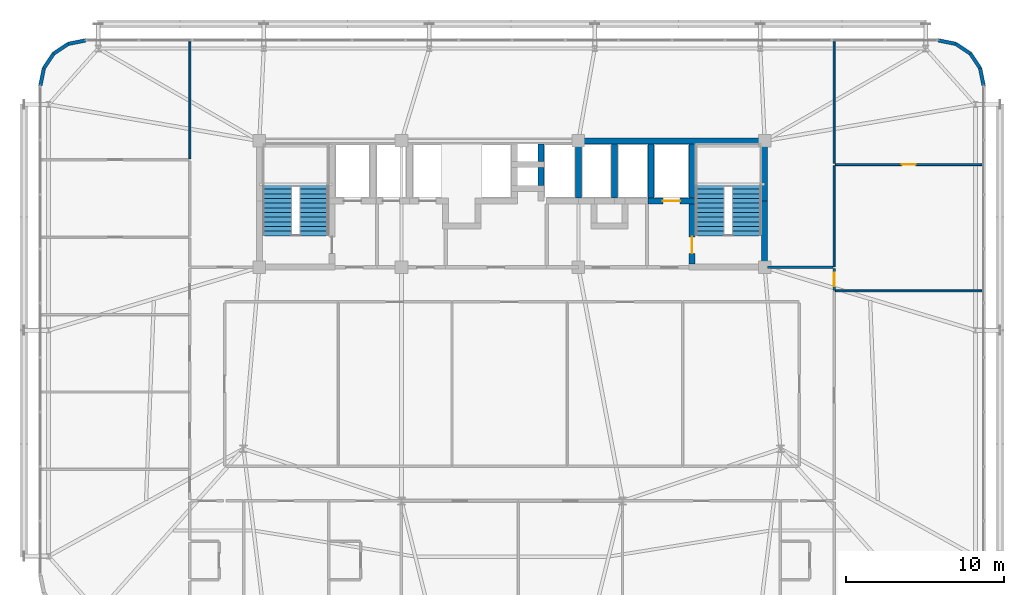
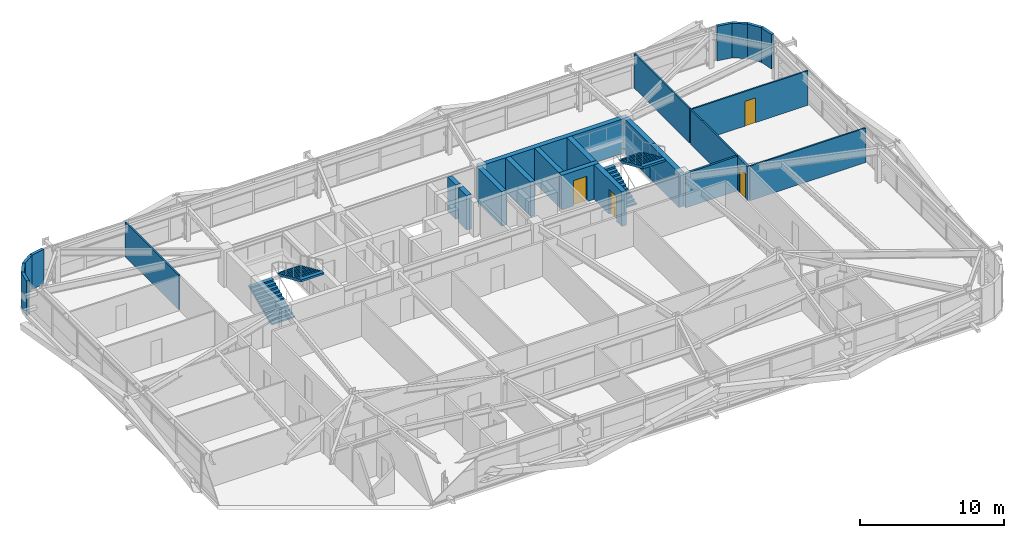
# One storey, part 55 of 58: 26 walls, 4 doors, 4 stair flights, 4 openings, 2 elements without a shape of their own.
"""IFC4 building model written with IfcOpenShell, lengths in metres."""

import ifcopenshell
import ifcopenshell.guid

model = None  # the IFC model being written
_history = None  # IfcOwnerHistory: only IFC2X3 demands one
_inside = {}  # id of a spatial element -> (the spatial element, [elements in it])
_under = {}  # id of a project, library or spatial element -> (it, [spatial elements below it])
_declared = {}  # id of a project -> (the project, [libraries it declares])
_typed = {}  # id of a type object -> (the type object, [elements of that type])
_made_of = {}  # id of a material, layer set ... -> (it, [elements and type objects made of it])


def new_model(schema):
    """Start an empty IFC model of exactly this schema.

    Asked for "IFC4X3", IfcOpenShell would pick the latest addendum, in which some entities
    have other attributes; the version numbers below select the first issue.
    IFC2X3 requires an IfcOwnerHistory on every rooted entity: one is made here for all.
    """
    global model, _history
    if schema == "IFC4X3":
        model = ifcopenshell.file(schema_version=(4, 3, 0, 0))
    else:
        model = ifcopenshell.file(schema=schema)
    _inside.clear()
    _under.clear()
    _declared.clear()
    _typed.clear()
    _made_of.clear()
    _history = None
    if model.schema == "IFC2X3":
        org = make("IfcOrganization", Name="unknown")
        user = make(
            "IfcPersonAndOrganization",
            ThePerson=make("IfcPerson", FamilyName="unknown"),
            TheOrganization=org,
        )
        app = make(
            "IfcApplication",
            ApplicationDeveloper=org,
            Version="unknown",
            ApplicationFullName="unknown",
            ApplicationIdentifier="unknown",
        )
        _history = make(
            "IfcOwnerHistory",
            OwningUser=user,
            OwningApplication=app,
            ChangeAction="ADDED",
            CreationDate=0,
        )
    return model


def make(cls, **values):
    """One entity of the class cls with the attributes given. An attribute that is None is left unset."""
    return model.create_entity(
        cls, **{name: value for name, value in values.items() if value is not None}
    )


def rooted(cls, **values):
    """An entity with a GlobalId (a new one), such as an element, a storey or a relation."""
    return make(cls, GlobalId=ifcopenshell.guid.new(), OwnerHistory=_history, **values)


def si_unit(unit_type, name, prefix=None):
    """IfcSIUnit, for example si_unit("LENGTHUNIT", "METRE", prefix="MILLI")."""
    return make("IfcSIUnit", UnitType=unit_type, Prefix=prefix, Name=name)


def assignment(units):
    """IfcUnitAssignment: the units of a project."""
    return None if units is None else make("IfcUnitAssignment", Units=units)


def point(xyz):
    """IfcCartesianPoint."""
    return None if xyz is None else make("IfcCartesianPoint", Coordinates=xyz)


def direction(xyz):
    """IfcDirection."""
    return None if xyz is None else make("IfcDirection", DirectionRatios=xyz)


def frame(location, z_axis=None, x_axis=None):
    """IfcAxis2Placement3D, a coordinate frame: its origin and axes. An axis left out is left unset."""
    return make(
        "IfcAxis2Placement3D",
        Location=point(location),
        Axis=direction(z_axis),
        RefDirection=direction(x_axis),
    )


def frame_2d(location, x_axis=None):
    """IfcAxis2Placement2D, a coordinate frame in the plane: its origin and x axis."""
    return make(
        "IfcAxis2Placement2D", Location=point(location), RefDirection=direction(x_axis)
    )


def origin():
    """The frame at (0, 0, 0) with its axes left unset."""
    return frame((0.0, 0.0, 0.0))


def place(relative_to, where):
    """IfcLocalPlacement: puts the frame where relative to a parent placement (None: the world)."""
    return make(
        "IfcLocalPlacement", PlacementRelTo=relative_to, RelativePlacement=where
    )


def context(
    kind, dimensions, precision=None, world=None, true_north=None, identifier=None
):
    """IfcGeometricRepresentationContext, for example the 3D "Model" context."""
    return make(
        "IfcGeometricRepresentationContext",
        ContextIdentifier=identifier,
        ContextType=kind,
        CoordinateSpaceDimension=dimensions,
        Precision=precision,
        WorldCoordinateSystem=world,
        TrueNorth=true_north,
    )


def subcontext(parent, identifier, kind, view, scale=None):
    """IfcGeometricRepresentationSubContext, for example "Body" below "Model"."""
    return make(
        "IfcGeometricRepresentationSubContext",
        ContextIdentifier=identifier,
        ContextType=kind,
        ParentContext=parent,
        TargetScale=scale,
        TargetView=view,
    )


def project(units=None, contexts=None):
    """IfcProject with its units and contexts."""
    return rooted(
        "IfcProject",
        Name="project",
        RepresentationContexts=contexts,
        UnitsInContext=assignment(units),
    )


def spatial(cls, under=None, at=None, **own):
    """A site, building, storey or space (cls), placed at a placement, below another one or the project."""
    s = rooted(cls, ObjectPlacement=at, **own)
    if under is not None:
        _under.setdefault(under.id(), (under, []))[1].append(s)
    return s


def polyline(points):
    """IfcPolyline through the points."""
    return make("IfcPolyline", Points=[point(p) for p in points])


def profile(cls, at=None, kind="AREA", **sizes):
    """A parametric profile (cls). Its sizes go by their IFC names, for example OverallWidth=200.0."""
    return make(cls, ProfileType=kind, Position=at, **sizes)


def rectangle(**sizes):
    """IfcRectangleProfileDef."""
    return profile("IfcRectangleProfileDef", **sizes)


def outline(outer, holes=None, kind="AREA"):
    """IfcArbitraryClosedProfileDef: a profile drawn as a closed curve; with holes, ...WithVoids."""
    if holes is None:
        return make("IfcArbitraryClosedProfileDef", ProfileType=kind, OuterCurve=outer)
    return make(
        "IfcArbitraryProfileDefWithVoids",
        ProfileType=kind,
        OuterCurve=outer,
        InnerCurves=holes,
    )


def extrude(swept, where, along, depth):
    """IfcExtrudedAreaSolid: the profile swept, set in the frame where, extruded along a direction by depth."""
    return make(
        "IfcExtrudedAreaSolid",
        SweptArea=swept,
        Position=where,
        ExtrudedDirection=direction(along),
        Depth=depth,
    )


def shape(context_of_items, identifier, shape_type, items):
    """IfcShapeRepresentation: the items that make up one representation, for example the "Body"."""
    return make(
        "IfcShapeRepresentation",
        ContextOfItems=context_of_items,
        RepresentationIdentifier=identifier,
        RepresentationType=shape_type,
        Items=items,
    )


def source(mapping_origin, context_of_items, identifier, shape_type, items):
    """IfcRepresentationMap: a shape defined once, which mapped items show again and again."""
    return make(
        "IfcRepresentationMap",
        MappingOrigin=mapping_origin,
        MappedRepresentation=shape(context_of_items, identifier, shape_type, items),
    )


def transform(
    local_origin,
    x_axis=None,
    y_axis=None,
    z_axis=None,
    scale=None,
    scale2=None,
    scale3=None,
    uniform=True,
):
    """IfcCartesianTransformationOperator3D, or its non-uniform kind. x_axis, y_axis, z_axis: its Axis1, 2, 3."""
    if uniform:
        return make(
            "IfcCartesianTransformationOperator3D",
            Axis1=direction(x_axis),
            Axis2=direction(y_axis),
            LocalOrigin=point(local_origin),
            Scale=scale,
            Axis3=direction(z_axis),
        )
    return make(
        "IfcCartesianTransformationOperator3DnonUniform",
        Axis1=direction(x_axis),
        Axis2=direction(y_axis),
        LocalOrigin=point(local_origin),
        Scale=scale,
        Axis3=direction(z_axis),
        Scale2=scale2,
        Scale3=scale3,
    )


def mapped(mapping_source, mapping_target):
    """IfcMappedItem: shows the shape of a source again, moved by a transform."""
    return make(
        "IfcMappedItem", MappingSource=mapping_source, MappingTarget=mapping_target
    )


def material(Name=None, Category=None):
    """IfcMaterial."""
    return make("IfcMaterial", Name=Name, Category=Category)


def layer(
    of_material, thickness, ventilated=None, Name=None, Category=None, Priority=None
):
    """IfcMaterialLayer: one layer of a wall or slab, of a material (None: an air gap)."""
    return make(
        "IfcMaterialLayer",
        Material=of_material,
        LayerThickness=thickness,
        IsVentilated=ventilated,
        Name=Name,
        Category=Category,
        Priority=Priority,
    )


def layer_set(layers, Name=None):
    """IfcMaterialLayerSet."""
    return make("IfcMaterialLayerSet", MaterialLayers=layers, LayerSetName=Name)


def made_of(thing, what):
    """Note that an element or type object is made of a material, layer set ...; save() writes the relation."""
    if what is not None:
        _made_of.setdefault(what.id(), (what, []))[1].append(thing)
    return thing


def type_object(cls, material=None, **own):
    """A type object (cls), such as IfcWallType, which elements share."""
    return made_of(rooted(cls, **own), material)


def element(
    cls,
    number,
    at=None,
    inside=None,
    cuts=None,
    type_object=None,
    material=None,
    context=None,
    identifier="Body",
    shape_type=None,
    held_by="IfcProductDefinitionShape",
    body=None,
    shapes=None,
    **own,
):
    """One element of the class cls, such as IfcWall. Its Tag is "e" and its number.

    at: its placement. inside: the storey or other place that contains it. cuts: it is an
    opening in that element (IfcRelVoidsElement). A single representation is given by context,
    identifier, shape_type and body (its items); several are given by shapes. held_by: the class
    of the entity that holds the representations. save() writes the other relations.
    """
    e = rooted(cls, Tag="e%d" % number, ObjectPlacement=at, **own)
    if body is not None:
        shapes = [shape(context, identifier, shape_type, body)]
    if shapes is not None:
        e.Representation = make(held_by, Representations=shapes)
    if inside is not None:
        _inside.setdefault(inside.id(), (inside, []))[1].append(e)
    if cuts is not None:
        rooted(
            "IfcRelVoidsElement", RelatingBuildingElement=cuts, RelatedOpeningElement=e
        )
    if type_object is not None:
        _typed.setdefault(type_object.id(), (type_object, []))[1].append(e)
    return made_of(e, material)


def fill(opening, filler):
    """IfcRelFillsElement: the door or window that sits in an opening."""
    return rooted(
        "IfcRelFillsElement",
        RelatingOpeningElement=opening,
        RelatedBuildingElement=filler,
    )


def aggregate(whole, parts):
    """IfcRelAggregates: a whole, such as a stair, and the parts it consists of."""
    return rooted("IfcRelAggregates", RelatingObject=whole, RelatedObjects=parts)


def save(model, path):
    """Write the relations noted so far, then the file.

    IfcRelAggregates (storeys below a building ...), IfcRelContainedInSpatialStructure (elements
    in a storey), IfcRelDefinesByType, IfcRelAssociatesMaterial and IfcRelDeclares: one each for
    every whole, place, type object, material and project.
    """
    for whole, parts in _under.values():
        aggregate(whole, parts)
    for where, things in _inside.values():
        rooted(
            "IfcRelContainedInSpatialStructure",
            RelatedElements=things,
            RelatingStructure=where,
        )
    for kind, things in _typed.values():
        rooted("IfcRelDefinesByType", RelatedObjects=things, RelatingType=kind)
    for what, things in _made_of.values():
        rooted("IfcRelAssociatesMaterial", RelatedObjects=things, RelatingMaterial=what)
    for by, libraries in _declared.values():
        rooted("IfcRelDeclares", RelatingContext=by, RelatedDefinitions=libraries)
    model.write(path)


model = new_model("IFC4")

# Units and contexts
model_context = context("Model", 3, precision=1e-05, world=origin(), true_north=direction((0.0, 1.0)))
body_context = subcontext(model_context, "Body", "Model", "MODEL_VIEW")
ifc_project = project(units=[si_unit("LENGTHUNIT", "METRE"), si_unit("AREAUNIT", "SQUARE_METRE"), si_unit("VOLUMEUNIT", "CUBIC_METRE"), si_unit("PLANEANGLEUNIT", "RADIAN"), si_unit("MASSUNIT", "GRAM", prefix="KILO")], contexts=[model_context])

# Site, building, storey
site_placement = place(None, origin())
site = spatial("IfcSite", under=ifc_project, at=site_placement, CompositionType="ELEMENT")
building_placement = place(site_placement, origin())
building = spatial("IfcBuilding", under=site, at=building_placement, Name="Taldren Reach Tower", CompositionType="ELEMENT")
storey_placement = place(building_placement, frame((0.0, 0.0, 35.699951171875)))
storey = spatial("IfcBuildingStorey", under=building, at=storey_placement, Name="L10", CompositionType="ELEMENT", Elevation=35.699951171875)

# Walls
ifc_material_1 = material(Name="Pale Champagne Anodised Aluminium Cladding", Category="aluminium")
ifc_layer_1 = layer(ifc_material_1, 0.04, Name="Pale Champagne Anodised Aluminium Cladding", Category="aluminium")
ifc_material_2 = material(Name="Mineral Wool Acoustic Insulation", Category="insulation")
ifc_layer_2 = layer(ifc_material_2, 0.06, Name="Mineral Wool Acoustic Insulation", Category="insulation")
ifc_material_3 = material(Name="Steel Gr 350 (C350L0)", Category="steel")
ifc_layer_3 = layer(ifc_material_3, 0.12, Name="Steel Gr 350 (C350L0)", Category="steel")
ifc_layer_set_1 = layer_set([ifc_layer_1, ifc_layer_2, ifc_layer_3], Name="Pale Champagne Aluminium Cladding and Steel Gr 350 Stud Framing")
wall_type_1 = type_object("IfcWallType", Name="EW-CRN-220", PredefinedType="SOLIDWALL", material=ifc_layer_set_1)
shared_shape_1 = source(origin(), body_context, "Body", "SweptSolid", [
    extrude(rectangle(XDim=1.115966796875, YDim=0.219970703125, at=frame_2d((0.55810546875, 0.0))), origin(), (0.0, 0.0, 1.0), 2.929931640625),
])
for number, where, z_axis, x_axis, name in (
    (1, (64.860107421875, 35.5, 0.0), (0.0, 0.0, 1.0), (-0.195148375659, 0.98077373103, 0.0), "Rounded-corner pale-metal facade wall L10-NE1"),
    (2, (64.642333984375, 36.594482421875, 0.0), (0.0, 0.0, 1.0), (-0.555709556774, 0.83137650226, 0.0), "Rounded-corner pale-metal facade wall L10-NE2"),
    (3, (64.022216796875, 37.522216796875, 0.0), (0.0, 0.0, 1.0), (-0.83137650226, 0.555709556774, 0.0), "Rounded-corner pale-metal facade wall L10-NE3"),
    (4, (63.094482421875, 38.142333984375, 0.0), (0.0, 0.0, 1.0), (-0.98077373103, 0.195148375659, 0.0), "Rounded-corner pale-metal facade wall L10-NE4"),
    (5, (8.0, 38.360107421875, 0.0), (0.0, 0.0, 1.0), (-0.98077373103, -0.195148375659, 0.0), "Rounded-corner pale-metal facade wall L10-NW1"),
    (6, (6.905517578125, 38.142333984375, 0.0), (0.0, 0.0, 1.0), (-0.83137650226, -0.555709556774, 0.0), "Rounded-corner pale-metal facade wall L10-NW2"),
    (7, (5.977783203125, 37.522216796875, 0.0), (0.0, 0.0, 1.0), (-0.555709556774, -0.83137650226, 0.0), "Rounded-corner pale-metal facade wall L10-NW3"),
    (8, (5.357666015625, 36.594482421875, 0.0), (0.0, 0.0, 1.0), (-0.195148375659, -0.98077373103, 0.0), "Rounded-corner pale-metal facade wall L10-NW4"),
):
    element("IfcWall", number, at=place(storey_placement, frame(where, z_axis=z_axis, x_axis=x_axis)), inside=storey, type_object=wall_type_1, Name=name, PredefinedType="SOLIDWALL", context=body_context, shape_type="MappedRepresentation", body=[
        mapped(shared_shape_1, transform((0.0, 0.0, 0.0), scale=1.0)),
    ])
ifc_material_4 = material(Name="Concrete S80 (80 MPa)", Category="concrete")
ifc_layer_4 = layer(ifc_material_4, 0.3798828125)
ifc_layer_set_2 = layer_set([ifc_layer_4], Name="Concrete S80 (80 MPa)")
wall_type_2 = type_object("IfcWallType", Name="IW-CORE-380", PredefinedType="SHEAR", material=ifc_layer_set_2)
shared_shape_2 = source(origin(), body_context, "Body", "SweptSolid", [
    extrude(rectangle(XDim=11.989990234375, YDim=0.3798828125, at=frame_2d((5.9951171875, 0.0))), origin(), (0.0, 0.0, 1.0), 2.929931640625),
])
wall_1_placement = place(storey_placement, frame((39.199951171875, 32.0, 0.0), z_axis=(0.0, 0.0, 1.0), x_axis=(1.0, 0.0, 0.0)))
element("IfcWall", 9, at=wall_1_placement, inside=storey, type_object=wall_type_2, Name="Rear Core Shear Wall W-CORE-L10-NORTH3", PredefinedType="SHEAR", context=body_context, shape_type="MappedRepresentation", body=[
    mapped(shared_shape_2, transform((0.0, 0.0, 0.0), scale=1.0)),
])
shared_shape_3 = source(origin(), body_context, "Body", "SweptSolid", [
    extrude(rectangle(XDim=4.010009765625, YDim=0.3798828125, at=frame_2d((2.0048828125, 0.0))), origin(), (0.0, 0.0, 1.0), 2.929931640625),
])
wall_2_placement = place(storey_placement, frame((51.0, 24.18994140625, 0.0), z_axis=(0.0, 0.0, 1.0), x_axis=(0.0, 1.0, 0.0)))
element("IfcWall", 10, at=wall_2_placement, inside=storey, type_object=wall_type_2, Name="Rear Core Shear Wall W-CORE-L10-EAST1", PredefinedType="SHEAR", context=body_context, shape_type="MappedRepresentation", body=[
    mapped(shared_shape_3, transform((0.0, 0.0, 0.0), scale=1.0)),
])
shared_shape_4 = source(origin(), body_context, "Body", "SweptSolid", [
    extrude(rectangle(XDim=3.610107421875, YDim=0.3798828125, at=frame_2d((1.80517578125, 0.0))), origin(), (0.0, 0.0, 1.0), 2.929931640625),
])
wall_3_placement = place(storey_placement, frame((51.0, 28.199951171875, 0.0), z_axis=(0.0, 0.0, 1.0), x_axis=(0.0, 1.0, 0.0)))
element("IfcWall", 11, at=wall_3_placement, inside=storey, type_object=wall_type_2, Name="Rear Core Shear Wall W-CORE-L10-EAST2", PredefinedType="SHEAR", context=body_context, shape_type="MappedRepresentation", body=[
    mapped(shared_shape_4, transform((0.0, 0.0, 0.0), scale=1.0)),
])
shared_shape_5 = source(origin(), body_context, "Body", "SweptSolid", [
    extrude(rectangle(XDim=3.420166015625, YDim=0.3798828125, at=frame_2d((1.7099609375, 0.0))), origin(), (0.0, 0.0, 1.0), 2.929931640625),
])
for number, where, z_axis, x_axis, name in (
    (12, (46.39990234375, 31.81005859375, 0.0), (0.0, 0.0, 1.0), (0.0, -1.0, 0.0), "Rear Core Shear Wall W-INT-L10-008"),
    (13, (43.800048828125, 31.81005859375, 0.0), (0.0, 0.0, 1.0), (0.0, -1.0, 0.0), "Rear Core Shear Wall W-INT-L10-012"),
    (14, (39.199951171875, 28.389892578125, 0.0), (0.0, 0.0, 1.0), (0.0, 1.0, 0.0), "Rear Core Shear Wall W-INT-L10-036"),
    (15, (41.5, 28.389892578125, 0.0), (0.0, 0.0, 1.0), (0.0, 1.0, 0.0), "Rear Core Shear Wall W-INT-L10-039"),
):
    element("IfcWall", number, at=place(storey_placement, frame(where, z_axis=z_axis, x_axis=x_axis)), inside=storey, type_object=wall_type_2, Name=name, PredefinedType="SHEAR", context=body_context, shape_type="MappedRepresentation", body=[
        mapped(shared_shape_5, transform((0.0, 0.0, 0.0), scale=1.0)),
    ])

# Wall, opening, door
shared_shape_6 = source(origin(), body_context, "Body", "SweptSolid", [
    extrude(rectangle(XDim=3.820068359375, YDim=0.3798828125, at=frame_2d((1.91015625, 0.0))), origin(), (0.0, 0.0, 1.0), 2.929931640625),
])
wall_4_placement = place(storey_placement, frame((46.39990234375, 28.010009765625, 0.0), z_axis=(0.0, 0.0, 1.0), x_axis=(0.0, -1.0, 0.0)))
wall_4 = element("IfcWall", 16, at=wall_4_placement, inside=storey, type_object=wall_type_2, Name="Rear Core Shear Wall W-INT-L10-009", PredefinedType="SHEAR", context=body_context, shape_type="MappedRepresentation", body=[
    mapped(shared_shape_6, transform((0.0, 0.0, 0.0), scale=1.0)),
])
shared_shape_7 = source(origin(), body_context, "Body", "SweptSolid", [
    extrude(rectangle(XDim=1.050048828125, YDim=2.10009765625, at=frame_2d((0.52490234375, 1.050048828125))), frame((0.0, 0.199951171875, 0.0), z_axis=(0.0, -1.0, 0.0), x_axis=(1.0, 0.0, 0.0)), (0.0, 0.0, 1.0), 0.39990234375),
])
opening_1_placement = place(wall_4_placement, frame((2.0849609375, 0.0, 0.0)))
opening_1 = element("IfcOpeningElement", 17, at=opening_1_placement, cuts=wall_4, Name="Opening DF-105", PredefinedType="OPENING", context=body_context, shape_type="MappedRepresentation", body=[
    mapped(shared_shape_7, transform((0.0, 0.0, 0.0), scale=1.0)),
])
ifc_material_5 = material(Name="Fire-Rated Care and Stair Exit Door")
door_type_1 = type_object("IfcDoorType", Name="ID-FIRE-105", OperationType="NOTDEFINED", PredefinedType="DOOR", material=ifc_material_5)
shared_shape_8 = source(origin(), body_context, "Body", "SweptSolid", [
    extrude(rectangle(XDim=1.050048828125, YDim=2.10009765625, at=frame_2d((0.52490234375, 1.050048828125))), frame((0.0, 0.02490234375, 0.0), z_axis=(0.0, -1.0, 0.0), x_axis=(1.0, 0.0, 0.0)), (0.0, 0.0, 1.0), 0.050048828125),
])
door_1_placement = place(opening_1_placement, origin())
door_1 = element("IfcDoor", 18, at=door_1_placement, inside=storey, type_object=door_type_1, Name="Fire Exit Stair Door DR-L10-003", OperationType="SINGLE_SWING_RIGHT", OverallHeight=2.10009765625, OverallWidth=1.050048828125, PredefinedType="DOOR", context=body_context, shape_type="MappedRepresentation", body=[
    mapped(shared_shape_8, transform((0.0, 0.0, 0.0), scale=1.0)),
])
fill(opening_1, door_1)

shared_shape_9 = source(origin(), body_context, "Body", "SweptSolid", [
    extrude(rectangle(XDim=2.97998046875, YDim=0.3798828125, at=frame_2d((1.489990234375, 0.0))), origin(), (0.0, 0.0, 1.0), 2.929931640625),
])
wall_5_placement = place(storey_placement, frame((43.610107421875, 28.199951171875, 0.0), z_axis=(0.0, 0.0, 1.0), x_axis=(1.0, 0.0, 0.0)))
wall_5 = element("IfcWall", 19, at=wall_5_placement, inside=storey, type_object=wall_type_2, Name="Rear Core Shear Wall W-INT-L10-011", PredefinedType="SHEAR", context=body_context, shape_type="MappedRepresentation", body=[
    mapped(shared_shape_9, transform((0.0, 0.0, 0.0), scale=1.0)),
])
shared_shape_10 = source(origin(), body_context, "Body", "SweptSolid", [
    extrude(rectangle(XDim=1.10009765625, YDim=2.14990234375, at=frame_2d((0.550048828125, 1.074951171875))), frame((0.0, 0.199951171875, 0.0), z_axis=(0.0, -1.0, 0.0), x_axis=(1.0, 0.0, 0.0)), (0.0, 0.0, 1.0), 0.39990234375),
])
opening_2_placement = place(wall_5_placement, frame((0.93994140625, 0.0, 0.0)))
opening_2 = element("IfcOpeningElement", 20, at=opening_2_placement, cuts=wall_5, Name="Opening LD-FL2", PredefinedType="OPENING", context=body_context, shape_type="MappedRepresentation", body=[
    mapped(shared_shape_10, transform((0.0, 0.0, 0.0), scale=1.0)),
])
ifc_material_6 = material(Name="Stainless Steel Gr 316 Emergency Lift Landing Door", Category="steel")
door_type_2 = type_object("IfcDoorType", Name="LD-EMG-110", OperationType="SLIDING_TO_LEFT", PredefinedType="DOOR", material=ifc_material_6)
shared_shape_11 = source(origin(), body_context, "Body", "SweptSolid", [
    extrude(rectangle(XDim=1.10009765625, YDim=2.14990234375, at=frame_2d((0.550048828125, 1.074951171875))), frame((0.0, 0.02490234375, 0.0), z_axis=(0.0, -1.0, 0.0), x_axis=(1.0, 0.0, 0.0)), (0.0, 0.0, 1.0), 0.050048828125),
])
door_2_placement = place(opening_2_placement, origin())
door_2 = element("IfcDoor", 21, at=door_2_placement, inside=storey, type_object=door_type_2, Name="Lift Landing Door LD-FL2-L10", OperationType="SLIDING_TO_LEFT", OverallHeight=2.14990234375, OverallWidth=1.10009765625, PredefinedType="DOOR", context=body_context, shape_type="MappedRepresentation", body=[
    mapped(shared_shape_11, transform((0.0, 0.0, 0.0), scale=1.0)),
])
fill(opening_2, door_2)

# Walls
shared_shape_12 = source(origin(), body_context, "Body", "SweptSolid", [
    extrude(rectangle(XDim=1.1201171875, YDim=0.3798828125, at=frame_2d((0.56005859375, 0.0))), origin(), (0.0, 0.0, 1.0), 2.929931640625),
])
for number, where, z_axis, x_axis, name in (
    (22, (36.85009765625, 30.68994140625, 0.0), (0.0, 0.0, 1.0), (0.0, 1.0, 0.0), "Rear Core Shear Wall W-INT-L10-017"),
    (23, (36.85009765625, 29.18994140625, 0.0), (0.0, 0.0, 1.0), (0.0, 1.0, 0.0), "Rear Core Shear Wall W-INT-L10-019"),
):
    element("IfcWall", number, at=place(storey_placement, frame(where, z_axis=z_axis, x_axis=x_axis)), inside=storey, type_object=wall_type_2, Name=name, PredefinedType="SHEAR", context=body_context, shape_type="MappedRepresentation", body=[
        mapped(shared_shape_12, transform((0.0, 0.0, 0.0), scale=1.0)),
    ])
ifc_material_7 = material(Name="Fire-Rated Acoustic Plasterboard Stud Wall", Category="gypsum")
ifc_layer_5 = layer(ifc_material_7, 0.159912109375)
ifc_layer_set_3 = layer_set([ifc_layer_5], Name="Fire-Rated Acoustic Plasterboard Stud Wall")
wall_type_3 = type_object("IfcWallType", Name="IW-FIRE-160", PredefinedType="PARTITIONING", material=ifc_layer_set_3)
shared_shape_13 = source(origin(), body_context, "Body", "SweptSolid", [
    extrude(rectangle(XDim=4.130126953125, YDim=0.159912109375, at=frame_2d((2.06494140625, 0.0))), origin(), (0.0, 0.0, 1.0), 2.929931640625),
])
wall_6_placement = place(storey_placement, frame((51.18994140625, 24.0, 0.0), z_axis=(0.0, 0.0, 1.0), x_axis=(1.0, 0.0, 0.0)))
element("IfcWall", 24, at=wall_6_placement, inside=storey, type_object=wall_type_3, Name="Interior Partition Wall W-INT-L10-061", PredefinedType="PARTITIONING", context=body_context, shape_type="MappedRepresentation", body=[
    mapped(shared_shape_13, transform((0.0, 0.0, 0.0), scale=1.0)),
])
ifc_material_8 = material(Name="Insulated Residential Stud Partition", Category="gypsum")
ifc_layer_6 = layer(ifc_material_8, 0.1201171875)
ifc_layer_set_4 = layer_set([ifc_layer_6], Name="Insulated Residential Stud Partition")
wall_type_4 = type_object("IfcWallType", Name="IW-PART-120", PredefinedType="PARTITIONING", material=ifc_layer_set_4)
shared_shape_14 = source(origin(), body_context, "Body", "SweptSolid", [
    extrude(rectangle(XDim=7.39013671875, YDim=0.1201171875, at=frame_2d((3.695068359375, 0.0))), origin(), (0.0, 0.0, 1.0), 2.929931640625),
])
wall_7_placement = place(storey_placement, frame((14.60009765625, 38.27001953125, 0.0), z_axis=(0.0, 0.0, 1.0), x_axis=(0.0, -1.0, 0.0)))
element("IfcWall", 25, at=wall_7_placement, inside=storey, type_object=wall_type_4, Name="Interior Partition Wall W-INT-L10-108", PredefinedType="PARTITIONING", context=body_context, shape_type="MappedRepresentation", body=[
    mapped(shared_shape_14, transform((0.0, 0.0, 0.0), scale=1.0)),
])

# Wall, opening, door
shared_shape_15 = source(origin(), body_context, "Body", "SweptSolid", [
    extrude(rectangle(XDim=9.2900390625, YDim=0.1201171875, at=frame_2d((4.64501953125, 0.0))), origin(), (0.0, 0.0, 1.0), 2.929931640625),
])
wall_8_placement = place(storey_placement, frame((55.47998046875, 30.5, 0.0), z_axis=(0.0, 0.0, 1.0), x_axis=(1.0, 0.0, 0.0)))
wall_8 = element("IfcWall", 26, at=wall_8_placement, inside=storey, type_object=wall_type_4, Name="Interior Partition Wall W-INT-L10-110", PredefinedType="PARTITIONING", context=body_context, shape_type="MappedRepresentation", body=[
    mapped(shared_shape_15, transform((0.0, 0.0, 0.0), scale=1.0)),
])
shared_shape_16 = source(origin(), body_context, "Body", "SweptSolid", [
    extrude(rectangle(XDim=0.860107421875, YDim=2.10009765625, at=frame_2d((0.43017578125, 1.050048828125))), frame((0.0, 0.070068359375, 0.0), z_axis=(0.0, -1.0, 0.0), x_axis=(1.0, 0.0, 0.0)), (0.0, 0.0, 1.0), 0.14013671875),
])
opening_3_placement = place(wall_8_placement, frame((4.215087890625, 0.0, 0.0)))
opening_3 = element("IfcOpeningElement", 27, at=opening_3_placement, cuts=wall_8, Name="Opening DI-086", PredefinedType="OPENING", context=body_context, shape_type="MappedRepresentation", body=[
    mapped(shared_shape_16, transform((0.0, 0.0, 0.0), scale=1.0)),
])
ifc_material_9 = material(Name="Timber Bathroom Door", Category="wood")
door_type_3 = type_object("IfcDoorType", Name="ID-INT-086", OperationType="NOTDEFINED", PredefinedType="DOOR", material=ifc_material_9)
shared_shape_17 = source(origin(), body_context, "Body", "SweptSolid", [
    extrude(rectangle(XDim=0.860107421875, YDim=2.10009765625, at=frame_2d((0.43017578125, 1.050048828125))), frame((0.0, 0.02490234375, 0.0), z_axis=(0.0, -1.0, 0.0), x_axis=(1.0, 0.0, 0.0)), (0.0, 0.0, 1.0), 0.050048828125),
])
door_3_placement = place(opening_3_placement, origin())
door_3 = element("IfcDoor", 28, at=door_3_placement, inside=storey, type_object=door_type_3, Name="Interior Door DR-L10-032", OperationType="SINGLE_SWING_LEFT", OverallHeight=2.10009765625, OverallWidth=0.860107421875, PredefinedType="DOOR", context=body_context, shape_type="MappedRepresentation", body=[
    mapped(shared_shape_17, transform((0.0, 0.0, 0.0), scale=1.0)),
])
fill(opening_3, door_3)

shared_shape_18 = source(origin(), body_context, "Body", "SweptSolid", [
    extrude(rectangle(XDim=1.399658203125, YDim=0.159912109375, at=frame_2d((0.69970703125, 0.0))), origin(), (0.0, 0.0, 1.0), 2.929931640625),
])
wall_9_placement = place(storey_placement, frame((55.39990234375, 23.919921875, 0.0), z_axis=(0.0, 0.0, 1.0), x_axis=(0.0, -1.0, 0.0)))
wall_9 = element("IfcWall", 29, at=wall_9_placement, inside=storey, type_object=wall_type_3, Name="Interior Partition Wall W-INT-L10-059", PredefinedType="PARTITIONING", context=body_context, shape_type="MappedRepresentation", body=[
    mapped(shared_shape_18, transform((0.0, 0.0, 0.0), scale=1.0)),
])
shared_shape_19 = source(origin(), body_context, "Body", "SweptSolid", [
    extrude(rectangle(XDim=0.860107421875, YDim=2.10009765625, at=frame_2d((0.43017578125, 1.050048828125))), frame((0.0, 0.08984375, 0.0), z_axis=(0.0, -1.0, 0.0), x_axis=(1.0, 0.0, 0.0)), (0.0, 0.0, 1.0), 0.179931640625),
])
opening_4_placement = place(wall_9_placement, frame((0.27001953125, 0.0, 0.0)))
opening_4 = element("IfcOpeningElement", 30, at=opening_4_placement, cuts=wall_9, Name="Opening DI-086", PredefinedType="OPENING", context=body_context, shape_type="MappedRepresentation", body=[
    mapped(shared_shape_19, transform((0.0, 0.0, 0.0), scale=1.0)),
])
door_4_placement = place(opening_4_placement, origin())
door_4 = element("IfcDoor", 31, at=door_4_placement, inside=storey, type_object=door_type_3, Name="Interior Door DR-L10-020", OperationType="SINGLE_SWING_LEFT", OverallHeight=2.10009765625, OverallWidth=0.860107421875, PredefinedType="DOOR", context=body_context, shape_type="MappedRepresentation", body=[
    mapped(shared_shape_17, transform((0.0, 0.0, 0.0), scale=1.0)),
])
fill(opening_4, door_4)

# Walls
shared_shape_20 = source(origin(), body_context, "Body", "SweptSolid", [
    extrude(rectangle(XDim=9.2861328125, YDim=0.1201171875, at=frame_2d((4.64306640625, 0.0))), origin(), (0.0, 0.0, 1.0), 2.929931640625),
])
wall_10_placement = place(storey_placement, frame((55.48193359375, 22.5, 0.0), z_axis=(0.0, 0.0, 1.0), x_axis=(1.0, 0.0, 0.0)))
element("IfcWall", 32, at=wall_10_placement, inside=storey, type_object=wall_type_4, Name="Interior Partition Wall W-INT-L10-109", PredefinedType="PARTITIONING", context=body_context, shape_type="MappedRepresentation", body=[
    mapped(shared_shape_20, transform((0.0, 0.0, 0.0), scale=1.0)),
])
shared_shape_21 = source(origin(), body_context, "Body", "SweptSolid", [
    extrude(rectangle(XDim=6.399658203125, YDim=0.1201171875, at=frame_2d((3.19970703125, 0.0))), origin(), (0.0, 0.0, 1.0), 2.929931640625),
])
wall_11_placement = place(storey_placement, frame((55.39990234375, 24.020263671875, 0.0), z_axis=(0.0, 0.0, 1.0), x_axis=(0.0, 1.0, 0.0)))
element("IfcWall", 33, at=wall_11_placement, inside=storey, type_object=wall_type_4, Name="Interior Partition Wall W-INT-L10-111", PredefinedType="PARTITIONING", context=body_context, shape_type="MappedRepresentation", body=[
    mapped(shared_shape_21, transform((0.0, 0.0, 0.0), scale=1.0)),
])
shared_shape_22 = source(origin(), body_context, "Body", "SweptSolid", [
    extrude(rectangle(XDim=7.68994140625, YDim=0.1201171875, at=frame_2d((3.844970703125, 0.0))), origin(), (0.0, 0.0, 1.0), 2.929931640625),
])
wall_12_placement = place(storey_placement, frame((55.39990234375, 30.580078125, 0.0), z_axis=(0.0, 0.0, 1.0), x_axis=(0.0, 1.0, 0.0)))
element("IfcWall", 34, at=wall_12_placement, inside=storey, type_object=wall_type_4, Name="Interior Partition Wall W-INT-L10-112", PredefinedType="PARTITIONING", context=body_context, shape_type="MappedRepresentation", body=[
    mapped(shared_shape_22, transform((0.0, 0.0, 0.0), scale=1.0)),
])

# Stair, stair flights
ifc_material_10 = material(Name="Concrete S50 (50 MPa)", Category="concrete")
stair_type = type_object("IfcStairType", Name="ST-HT-315", PredefinedType="HALF_TURN_STAIR", material=ifc_material_10)
stair_1_placement = place(storey_placement, origin())
stair_1 = element("IfcStair", 35, at=stair_1_placement, inside=storey, type_object=stair_type, Name="Fire-isolated exit stair ST1 L10", PredefinedType="HALF_TURN_STAIR")
stair_flight_type = type_object("IfcStairFlightType", Name="SF-STR-315", PredefinedType="STRAIGHT", material=ifc_material_10)
stair_flight_1_placement = place(storey_placement, frame((20.139892578125, 25.989990234375, 0.0), z_axis=(0.0, 0.0, 1.0), x_axis=(0.0, 1.0, 0.0)))
stair_flight_1 = element("IfcStairFlight", 36, at=stair_flight_1_placement, type_object=stair_flight_type, Name="ST1 flight 1", NumberOfRisers=12, NumberOfTreads=11, PredefinedType="STRAIGHT", RiserHeight=0.13125, TreadLength=0.295, context=body_context, shape_type="SweptSolid", body=[
    extrude(outline(polyline([(0.0, 0.0), (0.0, 0.13134765625), (0.294921875, 0.13134765625), (0.294921875, 0.262451171875), (0.590087890625, 0.262451171875), (0.590087890625, 0.393798828125), (0.885009765625, 0.393798828125), (0.885009765625, 0.52490234375), (1.179931640625, 0.52490234375), (1.179931640625, 0.65625), (1.47509765625, 0.65625), (1.47509765625, 0.78759765625), (1.77001953125, 0.78759765625), (1.77001953125, 0.918701171875), (2.06494140625, 0.918701171875), (2.06494140625, 1.050048828125), (2.360107421875, 1.050048828125), (2.360107421875, 1.18115234375), (2.655029296875, 1.18115234375), (2.655029296875, 1.3125), (2.949951171875, 1.3125), (2.949951171875, 1.44384765625), (3.2451171875, 1.44384765625), (3.2451171875, 1.574951171875), (3.2451171875, 1.268798828125), (0.393310546875, 0.0), (0.0, 0.0)])), frame((0.0, 0.919921875, 0.0), z_axis=(0.0, -1.0, 0.0), x_axis=(1.0, 0.0, 0.0)), (0.0, 0.0, 1.0), 1.840087890625),
])
stair_flight_2_placement = place(storey_placement, frame((22.4599609375, 29.235107421875, 1.574951171875), z_axis=(0.0, 0.0, 1.0), x_axis=(0.0, -1.0, 0.0)))
stair_flight_2 = element("IfcStairFlight", 37, at=stair_flight_2_placement, type_object=stair_flight_type, Name="ST1 flight 2", NumberOfRisers=12, NumberOfTreads=11, PredefinedType="STRAIGHT", RiserHeight=0.13125, TreadLength=0.295, context=body_context, shape_type="SweptSolid", body=[
    extrude(outline(polyline([(0.0, 0.0), (0.0, 0.13134765625), (0.294921875, 0.13134765625), (0.294921875, 0.262451171875), (0.590087890625, 0.262451171875), (0.590087890625, 0.393798828125), (0.885009765625, 0.393798828125), (0.885009765625, 0.52490234375), (1.179931640625, 0.52490234375), (1.179931640625, 0.65625), (1.47509765625, 0.65625), (1.47509765625, 0.78759765625), (1.77001953125, 0.78759765625), (1.77001953125, 0.918701171875), (2.06494140625, 0.918701171875), (2.06494140625, 1.050048828125), (2.360107421875, 1.050048828125), (2.360107421875, 1.18115234375), (2.655029296875, 1.18115234375), (2.655029296875, 1.3125), (2.949951171875, 1.3125), (2.949951171875, 1.44384765625), (3.2451171875, 1.44384765625), (3.2451171875, 1.574951171875), (3.2451171875, 1.268798828125), (0.393310546875, 0.0), (0.0, 0.0)])), frame((0.0, 0.919921875, 0.0), z_axis=(0.0, -1.0, 0.0), x_axis=(1.0, 0.0, 0.0)), (0.0, 0.0, 1.0), 1.840087890625),
])
aggregate(stair_1, [stair_flight_1, stair_flight_2])

stair_2_placement = place(storey_placement, origin())
stair_2 = element("IfcStair", 38, at=stair_2_placement, inside=storey, type_object=stair_type, Name="Fire-isolated exit stair ST2 L10", PredefinedType="HALF_TURN_STAIR")
stair_flight_3_placement = place(storey_placement, frame((47.5400390625, 25.989990234375, 0.0), z_axis=(0.0, 0.0, 1.0), x_axis=(0.0, 1.0, 0.0)))
stair_flight_3 = element("IfcStairFlight", 39, at=stair_flight_3_placement, type_object=stair_flight_type, Name="ST2 flight 1", NumberOfRisers=12, NumberOfTreads=11, PredefinedType="STRAIGHT", RiserHeight=0.13125, TreadLength=0.295, context=body_context, shape_type="SweptSolid", body=[
    extrude(outline(polyline([(0.0, 0.0), (0.0, 0.13134765625), (0.294921875, 0.13134765625), (0.294921875, 0.262451171875), (0.590087890625, 0.262451171875), (0.590087890625, 0.393798828125), (0.885009765625, 0.393798828125), (0.885009765625, 0.52490234375), (1.179931640625, 0.52490234375), (1.179931640625, 0.65625), (1.47509765625, 0.65625), (1.47509765625, 0.78759765625), (1.77001953125, 0.78759765625), (1.77001953125, 0.918701171875), (2.06494140625, 0.918701171875), (2.06494140625, 1.050048828125), (2.360107421875, 1.050048828125), (2.360107421875, 1.18115234375), (2.655029296875, 1.18115234375), (2.655029296875, 1.3125), (2.949951171875, 1.3125), (2.949951171875, 1.44384765625), (3.2451171875, 1.44384765625), (3.2451171875, 1.574951171875), (3.2451171875, 1.268798828125), (0.393310546875, 0.0), (0.0, 0.0)])), frame((0.0, 0.919921875, 0.0), z_axis=(0.0, -1.0, 0.0), x_axis=(1.0, 0.0, 0.0)), (0.0, 0.0, 1.0), 1.840087890625),
])
stair_flight_4_placement = place(storey_placement, frame((49.860107421875, 29.235107421875, 1.574951171875), z_axis=(0.0, 0.0, 1.0), x_axis=(0.0, -1.0, 0.0)))
stair_flight_4 = element("IfcStairFlight", 40, at=stair_flight_4_placement, type_object=stair_flight_type, Name="ST2 flight 2", NumberOfRisers=12, NumberOfTreads=11, PredefinedType="STRAIGHT", RiserHeight=0.13125, TreadLength=0.295, context=body_context, shape_type="SweptSolid", body=[
    extrude(outline(polyline([(0.0, 0.0), (0.0, 0.13134765625), (0.294921875, 0.13134765625), (0.294921875, 0.262451171875), (0.590087890625, 0.262451171875), (0.590087890625, 0.393798828125), (0.885009765625, 0.393798828125), (0.885009765625, 0.52490234375), (1.179931640625, 0.52490234375), (1.179931640625, 0.65625), (1.47509765625, 0.65625), (1.47509765625, 0.78759765625), (1.77001953125, 0.78759765625), (1.77001953125, 0.918701171875), (2.06494140625, 0.918701171875), (2.06494140625, 1.050048828125), (2.360107421875, 1.050048828125), (2.360107421875, 1.18115234375), (2.655029296875, 1.18115234375), (2.655029296875, 1.3125), (2.949951171875, 1.3125), (2.949951171875, 1.44384765625), (3.2451171875, 1.44384765625), (3.2451171875, 1.574951171875), (3.2451171875, 1.268798828125), (0.393310546875, 0.0), (0.0, 0.0)])), frame((0.0, 0.919921875, 0.0), z_axis=(0.0, -1.0, 0.0), x_axis=(1.0, 0.0, 0.0)), (0.0, 0.0, 1.0), 1.840087890625),
])
aggregate(stair_2, [stair_flight_3, stair_flight_4])

save(model, "model.ifc")
